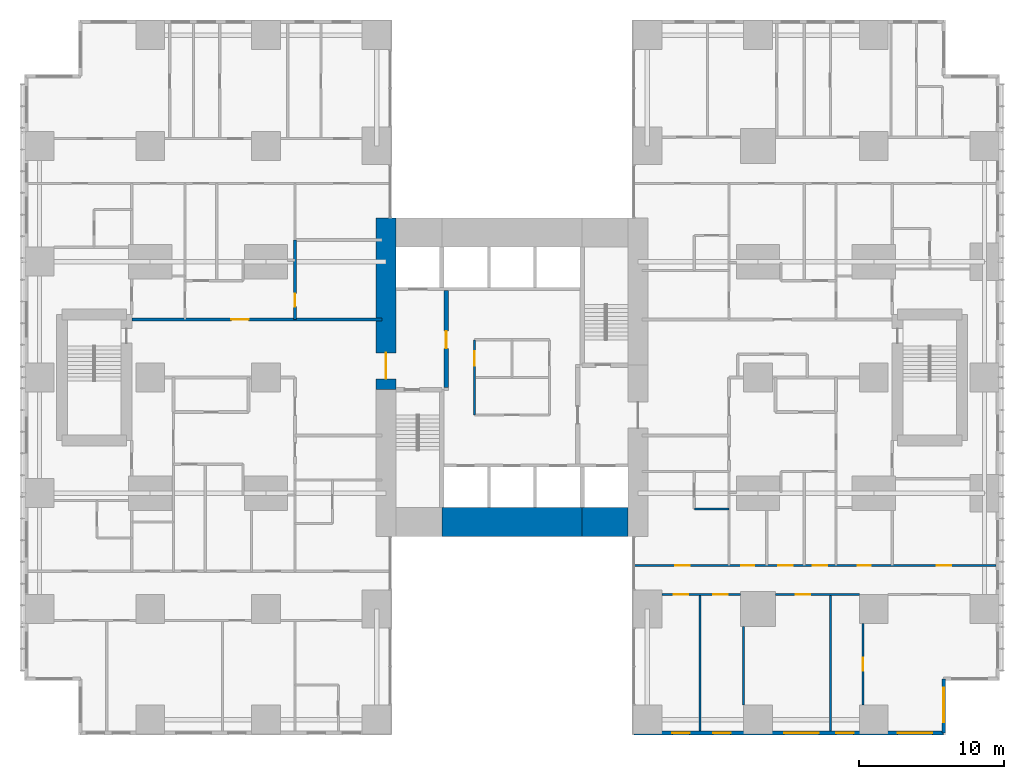
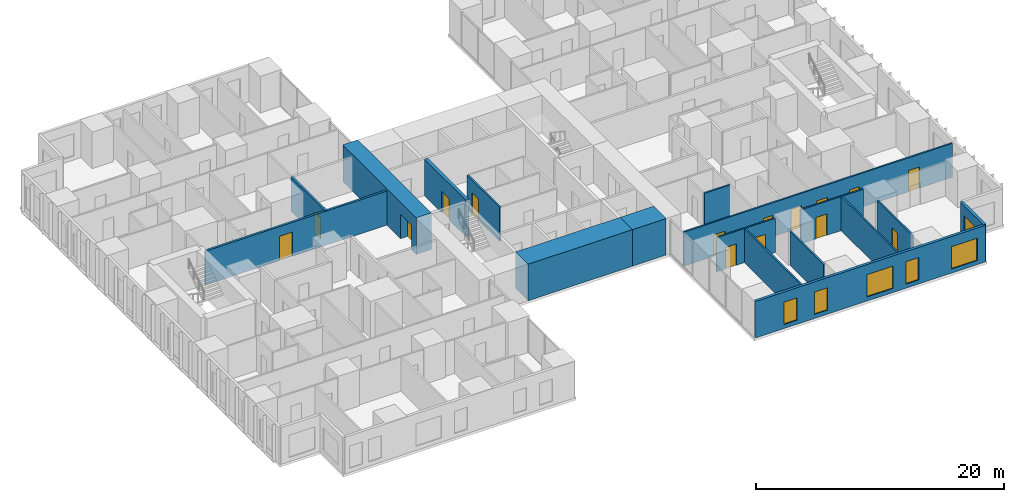
# One storey, part 14 of 20: 17 walls, 15 doors, 6 windows, 21 openings.
"""IFC4 building model written with IfcOpenShell, lengths in metres."""

from ifc_helpers import new_model, si_unit, direction, frame, frame_2d, origin, place, context, subcontext, project, spatial, rectangle, extrude, material, layer, layer_set, type_object, element, fill, save


model = new_model("IFC4")

# Units and contexts
model_context = context("Model", 3, precision=1e-05, world=origin(), true_north=direction((0.0, 1.0)))
body_context = subcontext(model_context, "Body", "Model", "MODEL_VIEW")
ifc_project = project(units=[si_unit("LENGTHUNIT", "METRE"), si_unit("AREAUNIT", "SQUARE_METRE"), si_unit("VOLUMEUNIT", "CUBIC_METRE"), si_unit("PLANEANGLEUNIT", "RADIAN"), si_unit("MASSUNIT", "GRAM", prefix="KILO")], contexts=[model_context])

# Site, building, storey
site_placement = place(None, origin())
site = spatial("IfcSite", under=ifc_project, at=site_placement, CompositionType="ELEMENT")
building_placement = place(site_placement, origin())
building = spatial("IfcBuilding", under=site, at=building_placement, Name="Cleftline Residences", CompositionType="ELEMENT")
storey_placement = place(building_placement, frame((0.0, 0.0, 164.60009765625)))
storey = spatial("IfcBuildingStorey", under=building, at=storey_placement, Name="L43", CompositionType="ELEMENT", Elevation=164.60009765625)

# Wall, opening, door
ifc_material_1 = material(Name="Concrete B70", Category="concrete")
ifc_layer_1 = layer(ifc_material_1, 1.39990234375)
ifc_layer_set_1 = layer_set([ifc_layer_1], Name="CORE WALL 1400")
wall_type_1 = type_object("IfcWallType", Name="CORE WALL 1400", PredefinedType="SHEAR", material=ifc_layer_set_1)
wall_1_placement = place(storey_placement, frame((24.300048828125, 23.14990234375, 0.0), z_axis=(0.0, 0.0, 1.0), x_axis=(0.0, 1.0, 0.0)))
wall_1 = element("IfcWall", 1, at=wall_1_placement, inside=storey, type_object=wall_type_1, Name="Core wall W", PredefinedType="SHEAR", context=body_context, shape_type="SweptSolid", body=[
    extrude(rectangle(XDim=11.85009765625, YDim=1.39990234375, at=frame_2d((5.925048828125, 0.0))), origin(), (0.0, 0.0, 1.0), 3.599853515625),
])
opening_1_placement = place(wall_1_placement, frame((0.75, 0.0, 0.0)))
opening_1 = element("IfcOpeningElement", 2, at=opening_1_placement, cuts=wall_1, Name="Opening D7", PredefinedType="OPENING", context=body_context, shape_type="SweptSolid", body=[
    extrude(rectangle(XDim=1.800048828125, YDim=2.39990234375, at=frame_2d((0.89990234375, 1.199951171875))), frame((0.0, 0.7099609375, 0.0), z_axis=(0.0, -1.0, 0.0), x_axis=(1.0, 0.0, 0.0)), (0.0, 0.0, 1.0), 1.419921875),
])
ifc_material_2 = material(Name="Steel", Category="steel")
door_type_1 = type_object("IfcDoorType", Name="WING DOOR 1800X2400", OperationType="DOUBLE_DOOR_DOUBLE_SWING", PredefinedType="DOOR", material=ifc_material_2)
door_1_placement = place(opening_1_placement, origin())
door_1 = element("IfcDoor", 3, at=door_1_placement, inside=storey, type_object=door_type_1, Name="West wing door", OperationType="DOUBLE_DOOR_DOUBLE_SWING", OverallHeight=2.39990234375, OverallWidth=1.800048828125, PredefinedType="DOOR", context=body_context, shape_type="SweptSolid", body=[
    extrude(rectangle(XDim=1.800048828125, YDim=2.39990234375, at=frame_2d((0.89990234375, 1.199951171875))), frame((0.0, 0.02490234375, 0.0), z_axis=(0.0, -1.0, 0.0), x_axis=(1.0, 0.0, 0.0)), (0.0, 0.0, 1.0), 0.050048828125),
])
fill(opening_1, door_1)

# Walls
ifc_material_3 = material(Name="Concrete B70", Category="concrete")
ifc_layer_2 = layer(ifc_material_3, 2.0)
ifc_layer_set_2 = layer_set([ifc_layer_2], Name="CORE WALL 2000")
wall_type_2 = type_object("IfcWallType", Name="CORE WALL 2000", PredefinedType="SHEAR", material=ifc_layer_set_2)
wall_2_placement = place(storey_placement, frame((28.14990234375, 14.0, 0.0), z_axis=(0.0, 0.0, 1.0), x_axis=(1.0, 0.0, 0.0)))
element("IfcWall", 4, at=wall_2_placement, inside=storey, type_object=wall_type_2, Name="Core wall S2", PredefinedType="SHEAR", context=body_context, shape_type="SweptSolid", body=[
    extrude(rectangle(XDim=9.7001953125, YDim=2.0, at=frame_2d((4.85009765625, 0.0))), origin(), (0.0, 0.0, 1.0), 3.599853515625),
])
wall_3_placement = place(storey_placement, frame((37.85009765625, 14.0, 0.0), z_axis=(0.0, 0.0, 1.0), x_axis=(1.0, 0.0, 0.0)))
element("IfcWall", 5, at=wall_3_placement, inside=storey, type_object=wall_type_2, Name="Core wall S3", PredefinedType="SHEAR", context=body_context, shape_type="SweptSolid", body=[
    extrude(rectangle(XDim=3.14990234375, YDim=2.0, at=frame_2d((1.574951171875, 0.0))), origin(), (0.0, 0.0, 1.0), 3.599853515625),
])

# Wall, openings, windows
ifc_material_4 = material(Name="Rendered reinforced concrete blockwork", Category="masonry")
ifc_layer_3 = layer(ifc_material_4, 0.25)
ifc_layer_set_3 = layer_set([ifc_layer_3], Name="EXTERNAL WALL 250")
wall_type_3 = type_object("IfcWallType", Name="EXTERNAL WALL 250", PredefinedType="SOLIDWALL", material=ifc_layer_set_3)
wall_4_placement = place(storey_placement, frame((41.425048828125, -0.574951171875, 0.0), z_axis=(0.0, 0.0, 1.0), x_axis=(1.0, 0.0, 0.0)))
wall_4 = element("IfcWall", 6, at=wall_4_placement, inside=storey, type_object=wall_type_3, Name="External wall", PredefinedType="SOLIDWALL", context=body_context, shape_type="SweptSolid", body=[
    extrude(rectangle(XDim=21.39990234375, YDim=0.25, at=frame_2d((10.699951171875, 0.0))), origin(), (0.0, 0.0, 1.0), 3.599853515625),
])
opening_2_placement = place(wall_4_placement, frame((2.64990234375, 0.0, 0.39990234375)))
opening_2 = element("IfcOpeningElement", 7, at=opening_2_placement, cuts=wall_4, Name="Opening W11", PredefinedType="OPENING", context=body_context, shape_type="SweptSolid", body=[
    extrude(rectangle(XDim=1.199951171875, YDim=2.199951171875, at=frame_2d((0.60009765625, 1.10009765625))), frame((0.0, 0.135009765625, 0.0), z_axis=(0.0, -1.0, 0.0), x_axis=(1.0, 0.0, 0.0)), (0.0, 0.0, 1.0), 0.27001953125),
])
opening_3_placement = place(wall_4_placement, frame((5.47509765625, 0.0, 0.39990234375)))
opening_3 = element("IfcOpeningElement", 8, at=opening_3_placement, cuts=wall_4, Name="Opening W11", PredefinedType="OPENING", context=body_context, shape_type="SweptSolid", body=[
    extrude(rectangle(XDim=1.199951171875, YDim=2.199951171875, at=frame_2d((0.60009765625, 1.10009765625))), frame((0.0, 0.135009765625, 0.0), z_axis=(0.0, -1.0, 0.0), x_axis=(1.0, 0.0, 0.0)), (0.0, 0.0, 1.0), 0.27001953125),
])
opening_4_placement = place(wall_4_placement, frame((10.375, 0.0, 0.39990234375)))
opening_4 = element("IfcOpeningElement", 9, at=opening_4_placement, cuts=wall_4, Name="Opening W12", PredefinedType="OPENING", context=body_context, shape_type="SweptSolid", body=[
    extrude(rectangle(XDim=2.39990234375, YDim=2.199951171875, at=frame_2d((1.199951171875, 1.10009765625))), frame((0.0, 0.135009765625, 0.0), z_axis=(0.0, -1.0, 0.0), x_axis=(1.0, 0.0, 0.0)), (0.0, 0.0, 1.0), 0.27001953125),
])
opening_5_placement = place(wall_4_placement, frame((13.97509765625, 0.0, 0.39990234375)))
opening_5 = element("IfcOpeningElement", 10, at=opening_5_placement, cuts=wall_4, Name="Opening W11", PredefinedType="OPENING", context=body_context, shape_type="SweptSolid", body=[
    extrude(rectangle(XDim=1.199951171875, YDim=2.199951171875, at=frame_2d((0.60009765625, 1.10009765625))), frame((0.0, 0.135009765625, 0.0), z_axis=(0.0, -1.0, 0.0), x_axis=(1.0, 0.0, 0.0)), (0.0, 0.0, 1.0), 0.27001953125),
])
opening_6_placement = place(wall_4_placement, frame((18.22509765625, 0.0, 0.39990234375)))
opening_6 = element("IfcOpeningElement", 11, at=opening_6_placement, cuts=wall_4, Name="Opening W12", PredefinedType="OPENING", context=body_context, shape_type="SweptSolid", body=[
    extrude(rectangle(XDim=2.39990234375, YDim=2.199951171875, at=frame_2d((1.199951171875, 1.10009765625))), frame((0.0, 0.135009765625, 0.0), z_axis=(0.0, -1.0, 0.0), x_axis=(1.0, 0.0, 0.0)), (0.0, 0.0, 1.0), 0.27001953125),
])
ifc_material_5 = material(Name="Aluminium frame, clear double glazing", Category="aluminium")
window_type_1 = type_object("IfcWindowType", Name="WINDOW 1200X2200", PartitioningType="DOUBLE_PANEL_VERTICAL", PredefinedType="WINDOW", material=ifc_material_5)
window_1_placement = place(opening_2_placement, origin())
window_1 = element("IfcWindow", 12, at=window_1_placement, inside=storey, type_object=window_type_1, Name="Window", OverallHeight=2.199951171875, OverallWidth=1.199951171875, PartitioningType="SINGLE_PANEL", PredefinedType="WINDOW", context=body_context, shape_type="SweptSolid", body=[
    extrude(rectangle(XDim=1.199951171875, YDim=2.199951171875, at=frame_2d((0.60009765625, 1.10009765625))), frame((0.0, 0.030029296875, 0.0), z_axis=(0.0, -1.0, 0.0), x_axis=(1.0, 0.0, 0.0)), (0.0, 0.0, 1.0), 0.06005859375),
])
fill(opening_2, window_1)
window_2_placement = place(opening_3_placement, origin())
window_2 = element("IfcWindow", 13, at=window_2_placement, inside=storey, type_object=window_type_1, Name="Window", OverallHeight=2.199951171875, OverallWidth=1.199951171875, PartitioningType="SINGLE_PANEL", PredefinedType="WINDOW", context=body_context, shape_type="SweptSolid", body=[
    extrude(rectangle(XDim=1.199951171875, YDim=2.199951171875, at=frame_2d((0.60009765625, 1.10009765625))), frame((0.0, 0.030029296875, 0.0), z_axis=(0.0, -1.0, 0.0), x_axis=(1.0, 0.0, 0.0)), (0.0, 0.0, 1.0), 0.06005859375),
])
fill(opening_3, window_2)
window_3_placement = place(opening_5_placement, origin())
window_3 = element("IfcWindow", 14, at=window_3_placement, inside=storey, type_object=window_type_1, Name="Window", OverallHeight=2.199951171875, OverallWidth=1.199951171875, PartitioningType="SINGLE_PANEL", PredefinedType="WINDOW", context=body_context, shape_type="SweptSolid", body=[
    extrude(rectangle(XDim=1.199951171875, YDim=2.199951171875, at=frame_2d((0.60009765625, 1.10009765625))), frame((0.0, 0.030029296875, 0.0), z_axis=(0.0, -1.0, 0.0), x_axis=(1.0, 0.0, 0.0)), (0.0, 0.0, 1.0), 0.06005859375),
])
fill(opening_5, window_3)
ifc_material_6 = material(Name="Aluminium frame, clear double glazing", Category="aluminium")
window_type_2 = type_object("IfcWindowType", Name="WINDOW 2400X2200", PartitioningType="DOUBLE_PANEL_VERTICAL", PredefinedType="WINDOW", material=ifc_material_6)
window_4_placement = place(opening_4_placement, origin())
window_4 = element("IfcWindow", 15, at=window_4_placement, inside=storey, type_object=window_type_2, Name="Window", OverallHeight=2.199951171875, OverallWidth=2.39990234375, PartitioningType="SINGLE_PANEL", PredefinedType="WINDOW", context=body_context, shape_type="SweptSolid", body=[
    extrude(rectangle(XDim=2.39990234375, YDim=2.199951171875, at=frame_2d((1.199951171875, 1.10009765625))), frame((0.0, 0.030029296875, 0.0), z_axis=(0.0, -1.0, 0.0), x_axis=(1.0, 0.0, 0.0)), (0.0, 0.0, 1.0), 0.06005859375),
])
fill(opening_4, window_4)
window_5_placement = place(opening_6_placement, origin())
window_5 = element("IfcWindow", 16, at=window_5_placement, inside=storey, type_object=window_type_2, Name="Window", OverallHeight=2.199951171875, OverallWidth=2.39990234375, PartitioningType="SINGLE_PANEL", PredefinedType="WINDOW", context=body_context, shape_type="SweptSolid", body=[
    extrude(rectangle(XDim=2.39990234375, YDim=2.199951171875, at=frame_2d((1.199951171875, 1.10009765625))), frame((0.0, 0.030029296875, 0.0), z_axis=(0.0, -1.0, 0.0), x_axis=(1.0, 0.0, 0.0)), (0.0, 0.0, 1.0), 0.06005859375),
])
fill(opening_6, window_5)

# Wall, opening, window
wall_5_placement = place(storey_placement, frame((62.824951171875, -0.574951171875, 0.0), z_axis=(0.0, 0.0, 1.0), x_axis=(0.0, 1.0, 0.0)))
wall_5 = element("IfcWall", 17, at=wall_5_placement, inside=storey, type_object=wall_type_3, Name="External wall", PredefinedType="SOLIDWALL", context=body_context, shape_type="SweptSolid", body=[
    extrude(rectangle(XDim=3.75, YDim=0.25, at=frame_2d((1.875, 0.0))), origin(), (0.0, 0.0, 1.0), 3.599853515625),
])
opening_7_placement = place(wall_5_placement, frame((0.737548828125, 0.0, 0.39990234375)))
opening_7 = element("IfcOpeningElement", 18, at=opening_7_placement, cuts=wall_5, Name="Opening W12", PredefinedType="OPENING", context=body_context, shape_type="SweptSolid", body=[
    extrude(rectangle(XDim=2.39990234375, YDim=2.199951171875, at=frame_2d((1.199951171875, 1.10009765625))), frame((0.0, 0.135009765625, 0.0), z_axis=(0.0, -1.0, 0.0), x_axis=(1.0, 0.0, 0.0)), (0.0, 0.0, 1.0), 0.27001953125),
])
window_6_placement = place(opening_7_placement, origin())
window_6 = element("IfcWindow", 19, at=window_6_placement, inside=storey, type_object=window_type_2, Name="Window", OverallHeight=2.199951171875, OverallWidth=2.39990234375, PartitioningType="SINGLE_PANEL", PredefinedType="WINDOW", context=body_context, shape_type="SweptSolid", body=[
    extrude(rectangle(XDim=2.39990234375, YDim=2.199951171875, at=frame_2d((1.199951171875, 1.10009765625))), frame((0.0, 0.030029296875, 0.0), z_axis=(0.0, -1.0, 0.0), x_axis=(1.0, 0.0, 0.0)), (0.0, 0.0, 1.0), 0.06005859375),
])
fill(opening_7, window_6)

# Wall, opening, door
ifc_material_7 = material(Name="Concrete blockwork, fire rated", Category="masonry")
ifc_layer_4 = layer(ifc_material_7, 0.199951171875)
ifc_layer_set_4 = layer_set([ifc_layer_4], Name="FIRE WALL 200")
wall_type_4 = type_object("IfcWallType", Name="FIRE WALL 200", PredefinedType="PARTITIONING", material=ifc_layer_set_4)
wall_6_placement = place(storey_placement, frame((6.72509765625, 28.0, 0.0), z_axis=(0.0, 0.0, 1.0), x_axis=(1.0, 0.0, 0.0)))
wall_6 = element("IfcWall", 20, at=wall_6_placement, inside=storey, type_object=wall_type_4, Name="Fire separating wall", PredefinedType="PARTITIONING", context=body_context, shape_type="SweptSolid", body=[
    extrude(rectangle(XDim=17.27490234375, YDim=0.199951171875, at=frame_2d((8.637451171875, 0.0))), origin(), (0.0, 0.0, 1.0), 3.349853515625),
])
opening_8_placement = place(wall_6_placement, frame((6.875, 0.0, 0.0)))
opening_8 = element("IfcOpeningElement", 21, at=opening_8_placement, cuts=wall_6, Name="Opening D4", PredefinedType="OPENING", context=body_context, shape_type="SweptSolid", body=[
    extrude(rectangle(XDim=1.199951171875, YDim=2.39990234375, at=frame_2d((0.60009765625, 1.199951171875))), frame((0.0, 0.10986328125, 0.0), z_axis=(0.0, -1.0, 0.0), x_axis=(1.0, 0.0, 0.0)), (0.0, 0.0, 1.0), 0.219970703125),
])
ifc_material_8 = material(Name="Timber veneer on solid core", Category="wood")
door_type_2 = type_object("IfcDoorType", Name="APARTMENT ENTRANCE DOOR 1200X2400", OperationType="SINGLE_SWING_RIGHT", PredefinedType="DOOR", material=ifc_material_8)
door_2_placement = place(opening_8_placement, origin())
door_2 = element("IfcDoor", 22, at=door_2_placement, inside=storey, type_object=door_type_2, Name="Door to residence entrance foyer", OperationType="SINGLE_SWING_RIGHT", OverallHeight=2.39990234375, OverallWidth=1.199951171875, PredefinedType="DOOR", context=body_context, shape_type="SweptSolid", body=[
    extrude(rectangle(XDim=1.199951171875, YDim=2.39990234375, at=frame_2d((0.60009765625, 1.199951171875))), frame((0.0, 0.02490234375, 0.0), z_axis=(0.0, -1.0, 0.0), x_axis=(1.0, 0.0, 0.0)), (0.0, 0.0, 1.0), 0.050048828125),
])
fill(opening_8, door_2)

wall_7_placement = place(storey_placement, frame((18.0, 28.0, 0.0), z_axis=(0.0, 0.0, 1.0), x_axis=(0.0, 1.0, 0.0)))
wall_7 = element("IfcWall", 23, at=wall_7_placement, inside=storey, type_object=wall_type_4, Name="Fire separating wall", PredefinedType="PARTITIONING", context=body_context, shape_type="SweptSolid", body=[
    extrude(rectangle(XDim=5.5, YDim=0.199951171875, at=frame_2d((2.75, 0.0))), origin(), (0.0, 0.0, 1.0), 3.349853515625),
])
opening_9_placement = place(wall_7_placement, frame((0.887451171875, 0.0, 0.0)))
opening_9 = element("IfcOpeningElement", 24, at=opening_9_placement, cuts=wall_7, Name="Opening D1F30", PredefinedType="OPENING", context=body_context, shape_type="SweptSolid", body=[
    extrude(rectangle(XDim=0.89990234375, YDim=2.10009765625, at=frame_2d((0.449951171875, 1.050048828125))), frame((0.0, 0.10986328125, 0.0), z_axis=(0.0, -1.0, 0.0), x_axis=(1.0, 0.0, 0.0)), (0.0, 0.0, 1.0), 0.219970703125),
])
ifc_material_9 = material(Name="Timber veneer on solid core", Category="wood")
door_type_3 = type_object("IfcDoorType", Name="DOOR 900X2100 EI 30", OperationType="SINGLE_SWING_LEFT", PredefinedType="DOOR", material=ifc_material_9)
door_3_placement = place(opening_9_placement, origin())
door_3 = element("IfcDoor", 25, at=door_3_placement, inside=storey, type_object=door_type_3, Name="Door to utility room and wc", OperationType="SINGLE_SWING_RIGHT", OverallHeight=2.10009765625, OverallWidth=0.89990234375, PredefinedType="DOOR", context=body_context, shape_type="SweptSolid", body=[
    extrude(rectangle(XDim=0.89990234375, YDim=2.10009765625, at=frame_2d((0.449951171875, 1.050048828125))), frame((0.0, 0.02490234375, 0.0), z_axis=(0.0, -1.0, 0.0), x_axis=(1.0, 0.0, 0.0)), (0.0, 0.0, 1.0), 0.050048828125),
])
fill(opening_9, door_3)

# Wall, openings, doors
ifc_material_10 = material(Name="Gypsum board on steel studs", Category="steel")
ifc_layer_5 = layer(ifc_material_10, 0.14990234375)
ifc_layer_set_5 = layer_set([ifc_layer_5], Name="PARTITION 150")
wall_type_5 = type_object("IfcWallType", Name="PARTITION 150", PredefinedType="PARTITIONING", material=ifc_layer_set_5)
wall_8_placement = place(storey_placement, frame((43.35009765625, 9.0, 0.0), z_axis=(0.0, 0.0, 1.0), x_axis=(1.0, 0.0, 0.0)))
wall_8 = element("IfcWall", 26, at=wall_8_placement, inside=storey, type_object=wall_type_5, Name="Partition", PredefinedType="PARTITIONING", context=body_context, shape_type="SweptSolid", body=[
    extrude(rectangle(XDim=5.449951171875, YDim=0.14990234375, at=frame_2d((2.72509765625, 0.0))), origin(), (0.0, 0.0, 1.0), 3.349853515625),
])
opening_10_placement = place(wall_8_placement, frame((3.550048828125, 0.0, 0.0)))
opening_10 = element("IfcOpeningElement", 27, at=opening_10_placement, cuts=wall_8, Name="Opening D2", PredefinedType="OPENING", context=body_context, shape_type="SweptSolid", body=[
    extrude(rectangle(XDim=1.0, YDim=2.10009765625, at=frame_2d((0.5, 1.050048828125))), frame((0.0, 0.0849609375, 0.0), z_axis=(0.0, -1.0, 0.0), x_axis=(1.0, 0.0, 0.0)), (0.0, 0.0, 1.0), 0.169921875),
])
opening_11_placement = place(wall_8_placement, frame((0.824951171875, 0.0, 0.0)))
opening_11 = element("IfcOpeningElement", 28, at=opening_11_placement, cuts=wall_8, Name="Opening D2", PredefinedType="OPENING", context=body_context, shape_type="SweptSolid", body=[
    extrude(rectangle(XDim=1.0, YDim=2.10009765625, at=frame_2d((0.5, 1.050048828125))), frame((0.0, 0.0849609375, 0.0), z_axis=(0.0, -1.0, 0.0), x_axis=(1.0, 0.0, 0.0)), (0.0, 0.0, 1.0), 0.169921875),
])
ifc_material_11 = material(Name="Timber veneer on solid core", Category="wood")
door_type_4 = type_object("IfcDoorType", Name="DOOR 1000X2100", OperationType="SINGLE_SWING_LEFT", PredefinedType="DOOR", material=ifc_material_11)
door_4_placement = place(opening_10_placement, origin())
door_4 = element("IfcDoor", 29, at=door_4_placement, inside=storey, type_object=door_type_4, Name="Door to breakfast room", OperationType="SINGLE_SWING_LEFT", OverallHeight=2.10009765625, OverallWidth=1.0, PredefinedType="DOOR", context=body_context, shape_type="SweptSolid", body=[
    extrude(rectangle(XDim=1.0, YDim=2.10009765625, at=frame_2d((0.5, 1.050048828125))), frame((0.0, 0.02490234375, 0.0), z_axis=(0.0, -1.0, 0.0), x_axis=(1.0, 0.0, 0.0)), (0.0, 0.0, 1.0), 0.050048828125),
])
fill(opening_10, door_4)
door_5_placement = place(opening_11_placement, origin())
door_5 = element("IfcDoor", 30, at=door_5_placement, inside=storey, type_object=door_type_4, Name="Door to show kitchen", OperationType="SINGLE_SWING_RIGHT", OverallHeight=2.10009765625, OverallWidth=1.0, PredefinedType="DOOR", context=body_context, shape_type="SweptSolid", body=[
    extrude(rectangle(XDim=1.0, YDim=2.10009765625, at=frame_2d((0.5, 1.050048828125))), frame((0.0, 0.02490234375, 0.0), z_axis=(0.0, -1.0, 0.0), x_axis=(1.0, 0.0, 0.0)), (0.0, 0.0, 1.0), 0.050048828125),
])
fill(opening_11, door_5)

# Wall, opening, door
wall_9_placement = place(storey_placement, frame((51.199951171875, 9.0, 0.0), z_axis=(0.0, 0.0, 1.0), x_axis=(1.0, 0.0, 0.0)))
wall_9 = element("IfcWall", 31, at=wall_9_placement, inside=storey, type_object=wall_type_5, Name="Partition", PredefinedType="PARTITIONING", context=body_context, shape_type="SweptSolid", body=[
    extrude(rectangle(XDim=5.800048828125, YDim=0.14990234375, at=frame_2d((2.89990234375, 0.0))), origin(), (0.0, 0.0, 1.0), 3.349853515625),
])
opening_12_placement = place(wall_9_placement, frame((1.39990234375, 0.0, 0.0)))
opening_12 = element("IfcOpeningElement", 32, at=opening_12_placement, cuts=wall_9, Name="Opening D2", PredefinedType="OPENING", context=body_context, shape_type="SweptSolid", body=[
    extrude(rectangle(XDim=1.0, YDim=2.10009765625, at=frame_2d((0.5, 1.050048828125))), frame((0.0, 0.0849609375, 0.0), z_axis=(0.0, -1.0, 0.0), x_axis=(1.0, 0.0, 0.0)), (0.0, 0.0, 1.0), 0.169921875),
])
door_6_placement = place(opening_12_placement, origin())
door_6 = element("IfcDoor", 33, at=door_6_placement, inside=storey, type_object=door_type_4, Name="Door to dining room", OperationType="SINGLE_SWING_RIGHT", OverallHeight=2.10009765625, OverallWidth=1.0, PredefinedType="DOOR", context=body_context, shape_type="SweptSolid", body=[
    extrude(rectangle(XDim=1.0, YDim=2.10009765625, at=frame_2d((0.5, 1.050048828125))), frame((0.0, 0.02490234375, 0.0), z_axis=(0.0, -1.0, 0.0), x_axis=(1.0, 0.0, 0.0)), (0.0, 0.0, 1.0), 0.050048828125),
])
fill(opening_12, door_6)

# Wall, openings, doors
wall_10_placement = place(storey_placement, frame((41.43896484375, 11.0, 0.0), z_axis=(0.0, 0.0, 1.0), x_axis=(1.0, 0.0, 0.0)))
wall_10 = element("IfcWall", 34, at=wall_10_placement, inside=storey, type_object=wall_type_5, Name="Partition", PredefinedType="PARTITIONING", context=body_context, shape_type="SweptSolid", body=[
    extrude(rectangle(XDim=25.010986328125, YDim=0.14990234375, at=frame_2d((12.50537109375, 0.0))), origin(), (0.0, 0.0, 1.0), 3.349853515625),
])
opening_13_placement = place(wall_10_placement, frame((12.361083984375, 0.0, 0.0)))
opening_13 = element("IfcOpeningElement", 35, at=opening_13_placement, cuts=wall_10, Name="Opening D2F30", PredefinedType="OPENING", context=body_context, shape_type="SweptSolid", body=[
    extrude(rectangle(XDim=1.0, YDim=2.10009765625, at=frame_2d((0.5, 1.050048828125))), frame((0.0, 0.0849609375, 0.0), z_axis=(0.0, -1.0, 0.0), x_axis=(1.0, 0.0, 0.0)), (0.0, 0.0, 1.0), 0.169921875),
])
opening_14_placement = place(wall_10_placement, frame((20.923583984375, 0.0, 0.0)))
opening_14 = element("IfcOpeningElement", 36, at=opening_14_placement, cuts=wall_10, Name="Opening D2F30", PredefinedType="OPENING", context=body_context, shape_type="SweptSolid", body=[
    extrude(rectangle(XDim=1.0, YDim=2.10009765625, at=frame_2d((0.5, 1.050048828125))), frame((0.0, 0.0849609375, 0.0), z_axis=(0.0, -1.0, 0.0), x_axis=(1.0, 0.0, 0.0)), (0.0, 0.0, 1.0), 0.169921875),
])
opening_15_placement = place(wall_10_placement, frame((15.448486328125, 0.0, 0.0)))
opening_15 = element("IfcOpeningElement", 37, at=opening_15_placement, cuts=wall_10, Name="Opening D1F30", PredefinedType="OPENING", context=body_context, shape_type="SweptSolid", body=[
    extrude(rectangle(XDim=0.89990234375, YDim=2.10009765625, at=frame_2d((0.449951171875, 1.050048828125))), frame((0.0, 0.0849609375, 0.0), z_axis=(0.0, -1.0, 0.0), x_axis=(1.0, 0.0, 0.0)), (0.0, 0.0, 1.0), 0.169921875),
])
opening_16_placement = place(wall_10_placement, frame((9.9609375, 0.0, 0.0)))
opening_16 = element("IfcOpeningElement", 38, at=opening_16_placement, cuts=wall_10, Name="Opening D2F30", PredefinedType="OPENING", context=body_context, shape_type="SweptSolid", body=[
    extrude(rectangle(XDim=1.0, YDim=2.10009765625, at=frame_2d((0.5, 1.050048828125))), frame((0.0, 0.0849609375, 0.0), z_axis=(0.0, -1.0, 0.0), x_axis=(1.0, 0.0, 0.0)), (0.0, 0.0, 1.0), 0.169921875),
])
opening_17_placement = place(wall_10_placement, frame((7.410888671875, 0.0, 0.0)))
opening_17 = element("IfcOpeningElement", 39, at=opening_17_placement, cuts=wall_10, Name="Opening D1F30", PredefinedType="OPENING", context=body_context, shape_type="SweptSolid", body=[
    extrude(rectangle(XDim=0.89990234375, YDim=2.10009765625, at=frame_2d((0.449951171875, 1.050048828125))), frame((0.0, 0.0849609375, 0.0), z_axis=(0.0, -1.0, 0.0), x_axis=(1.0, 0.0, 0.0)), (0.0, 0.0, 1.0), 0.169921875),
])
opening_18_placement = place(wall_10_placement, frame((2.8359375, 0.0, 0.0)))
opening_18 = element("IfcOpeningElement", 40, at=opening_18_placement, cuts=wall_10, Name="Opening D2F30", PredefinedType="OPENING", context=body_context, shape_type="SweptSolid", body=[
    extrude(rectangle(XDim=1.0, YDim=2.10009765625, at=frame_2d((0.5, 1.050048828125))), frame((0.0, 0.0849609375, 0.0), z_axis=(0.0, -1.0, 0.0), x_axis=(1.0, 0.0, 0.0)), (0.0, 0.0, 1.0), 0.169921875),
])
ifc_material_12 = material(Name="Timber veneer on solid core", Category="wood")
door_type_5 = type_object("IfcDoorType", Name="DOOR 1000X2100 EI 30", OperationType="SINGLE_SWING_LEFT", PredefinedType="DOOR", material=ifc_material_12)
door_7_placement = place(opening_13_placement, origin())
door_7 = element("IfcDoor", 41, at=door_7_placement, inside=storey, type_object=door_type_5, Name="Door to residence hall (gallery)", OperationType="SINGLE_SWING_LEFT", OverallHeight=2.10009765625, OverallWidth=1.0, PredefinedType="DOOR", context=body_context, shape_type="SweptSolid", body=[
    extrude(rectangle(XDim=1.0, YDim=2.10009765625, at=frame_2d((0.5, 1.050048828125))), frame((0.0, 0.02490234375, 0.0), z_axis=(0.0, -1.0, 0.0), x_axis=(1.0, 0.0, 0.0)), (0.0, 0.0, 1.0), 0.050048828125),
])
fill(opening_13, door_7)
door_8_placement = place(opening_14_placement, origin())
door_8 = element("IfcDoor", 42, at=door_8_placement, inside=storey, type_object=door_type_5, Name="Door to altar room", OperationType="SINGLE_SWING_LEFT", OverallHeight=2.10009765625, OverallWidth=1.0, PredefinedType="DOOR", context=body_context, shape_type="SweptSolid", body=[
    extrude(rectangle(XDim=1.0, YDim=2.10009765625, at=frame_2d((0.5, 1.050048828125))), frame((0.0, 0.02490234375, 0.0), z_axis=(0.0, -1.0, 0.0), x_axis=(1.0, 0.0, 0.0)), (0.0, 0.0, 1.0), 0.050048828125),
])
fill(opening_14, door_8)
door_9_placement = place(opening_16_placement, origin())
door_9 = element("IfcDoor", 43, at=door_9_placement, inside=storey, type_object=door_type_5, Name="Door to wet kitchen", OperationType="SINGLE_SWING_RIGHT", OverallHeight=2.10009765625, OverallWidth=1.0, PredefinedType="DOOR", context=body_context, shape_type="SweptSolid", body=[
    extrude(rectangle(XDim=1.0, YDim=2.10009765625, at=frame_2d((0.5, 1.050048828125))), frame((0.0, 0.02490234375, 0.0), z_axis=(0.0, -1.0, 0.0), x_axis=(1.0, 0.0, 0.0)), (0.0, 0.0, 1.0), 0.050048828125),
])
fill(opening_16, door_9)
door_10_placement = place(opening_18_placement, origin())
door_10 = element("IfcDoor", 44, at=door_10_placement, inside=storey, type_object=door_type_5, Name="Door to staff bedroom", OperationType="SINGLE_SWING_RIGHT", OverallHeight=2.10009765625, OverallWidth=1.0, PredefinedType="DOOR", context=body_context, shape_type="SweptSolid", body=[
    extrude(rectangle(XDim=1.0, YDim=2.10009765625, at=frame_2d((0.5, 1.050048828125))), frame((0.0, 0.02490234375, 0.0), z_axis=(0.0, -1.0, 0.0), x_axis=(1.0, 0.0, 0.0)), (0.0, 0.0, 1.0), 0.050048828125),
])
fill(opening_18, door_10)
door_11_placement = place(opening_15_placement, origin())
door_11 = element("IfcDoor", 45, at=door_11_placement, inside=storey, type_object=door_type_3, Name="Door to store room", OperationType="SINGLE_SWING_LEFT", OverallHeight=2.10009765625, OverallWidth=0.89990234375, PredefinedType="DOOR", context=body_context, shape_type="SweptSolid", body=[
    extrude(rectangle(XDim=0.89990234375, YDim=2.10009765625, at=frame_2d((0.449951171875, 1.050048828125))), frame((0.0, 0.02490234375, 0.0), z_axis=(0.0, -1.0, 0.0), x_axis=(1.0, 0.0, 0.0)), (0.0, 0.0, 1.0), 0.050048828125),
])
fill(opening_15, door_11)
door_12_placement = place(opening_17_placement, origin())
door_12 = element("IfcDoor", 46, at=door_12_placement, inside=storey, type_object=door_type_3, Name="Door to pantry", OperationType="SINGLE_SWING_RIGHT", OverallHeight=2.10009765625, OverallWidth=0.89990234375, PredefinedType="DOOR", context=body_context, shape_type="SweptSolid", body=[
    extrude(rectangle(XDim=0.89990234375, YDim=2.10009765625, at=frame_2d((0.449951171875, 1.050048828125))), frame((0.0, 0.02490234375, 0.0), z_axis=(0.0, -1.0, 0.0), x_axis=(1.0, 0.0, 0.0)), (0.0, 0.0, 1.0), 0.050048828125),
])
fill(opening_17, door_12)

# Walls
wall_11_placement = place(storey_placement, frame((45.60009765625, 14.89990234375, 0.0), z_axis=(0.0, 0.0, 1.0), x_axis=(1.0, 0.0, 0.0)))
element("IfcWall", 47, at=wall_11_placement, inside=storey, type_object=wall_type_5, Name="Partition", PredefinedType="PARTITIONING", context=body_context, shape_type="SweptSolid", body=[
    extrude(rectangle(XDim=2.39990234375, YDim=0.14990234375, at=frame_2d((1.199951171875, 0.0))), origin(), (0.0, 0.0, 1.0), 3.349853515625),
])
wall_12_placement = place(storey_placement, frame((46.0, -0.449951171875, 0.0), z_axis=(0.0, 0.0, 1.0), x_axis=(0.0, 1.0, 0.0)))
element("IfcWall", 48, at=wall_12_placement, inside=storey, type_object=wall_type_5, Name="Partition", PredefinedType="PARTITIONING", context=body_context, shape_type="SweptSolid", body=[
    extrude(rectangle(XDim=9.449951171875, YDim=0.14990234375, at=frame_2d((4.72509765625, 0.0))), origin(), (0.0, 0.0, 1.0), 3.349853515625),
])
wall_13_placement = place(storey_placement, frame((49.0, 1.35009765625, 0.0), z_axis=(0.0, 0.0, 1.0), x_axis=(0.0, 1.0, 0.0)))
element("IfcWall", 49, at=wall_13_placement, inside=storey, type_object=wall_type_5, Name="Partition", PredefinedType="PARTITIONING", context=body_context, shape_type="SweptSolid", body=[
    extrude(rectangle(XDim=5.449951171875, YDim=0.14990234375, at=frame_2d((2.72509765625, 0.0))), origin(), (0.0, 0.0, 1.0), 3.349853515625),
])
wall_14_placement = place(storey_placement, frame((55.0, -0.449951171875, 0.0), z_axis=(0.0, 0.0, 1.0), x_axis=(0.0, 1.0, 0.0)))
element("IfcWall", 50, at=wall_14_placement, inside=storey, type_object=wall_type_5, Name="Partition", PredefinedType="PARTITIONING", context=body_context, shape_type="SweptSolid", body=[
    extrude(rectangle(XDim=9.449951171875, YDim=0.14990234375, at=frame_2d((4.72509765625, 0.0))), origin(), (0.0, 0.0, 1.0), 3.349853515625),
])

# Wall, opening, door
wall_15_placement = place(storey_placement, frame((57.25, 1.35009765625, 0.0), z_axis=(0.0, 0.0, 1.0), x_axis=(0.0, 1.0, 0.0)))
wall_15 = element("IfcWall", 51, at=wall_15_placement, inside=storey, type_object=wall_type_5, Name="Partition", PredefinedType="PARTITIONING", context=body_context, shape_type="SweptSolid", body=[
    extrude(rectangle(XDim=5.64990234375, YDim=0.14990234375, at=frame_2d((2.824951171875, 0.0))), origin(), (0.0, 0.0, 1.0), 3.349853515625),
])
opening_19_placement = place(wall_15_placement, frame((2.375, 0.0, 0.0)))
opening_19 = element("IfcOpeningElement", 52, at=opening_19_placement, cuts=wall_15, Name="Opening D1", PredefinedType="OPENING", context=body_context, shape_type="SweptSolid", body=[
    extrude(rectangle(XDim=0.89990234375, YDim=2.10009765625, at=frame_2d((0.449951171875, 1.050048828125))), frame((0.0, 0.0849609375, 0.0), z_axis=(0.0, -1.0, 0.0), x_axis=(1.0, 0.0, 0.0)), (0.0, 0.0, 1.0), 0.169921875),
])
ifc_material_13 = material(Name="Timber veneer on solid core", Category="wood")
door_type_6 = type_object("IfcDoorType", Name="DOOR 900X2100", OperationType="SINGLE_SWING_LEFT", PredefinedType="DOOR", material=ifc_material_13)
door_13_placement = place(opening_19_placement, origin())
door_13 = element("IfcDoor", 53, at=door_13_placement, inside=storey, type_object=door_type_6, Name="Door to store room", OperationType="SINGLE_SWING_LEFT", OverallHeight=2.10009765625, OverallWidth=0.89990234375, PredefinedType="DOOR", context=body_context, shape_type="SweptSolid", body=[
    extrude(rectangle(XDim=0.89990234375, YDim=2.10009765625, at=frame_2d((0.449951171875, 1.050048828125))), frame((0.0, 0.02490234375, 0.0), z_axis=(0.0, -1.0, 0.0), x_axis=(1.0, 0.0, 0.0)), (0.0, 0.0, 1.0), 0.050048828125),
])
fill(opening_19, door_13)

ifc_material_14 = material(Name="Fire-resisting gypsum board on steel studs", Category="steel")
ifc_layer_6 = layer(ifc_material_14, 0.14990234375)
ifc_layer_set_6 = layer_set([ifc_layer_6], Name="PARTITION 150 EI 60")
wall_type_6 = type_object("IfcWallType", Name="PARTITION 150 EI 60", PredefinedType="PARTITIONING", material=ifc_layer_set_6)
wall_16_placement = place(storey_placement, frame((30.39990234375, 21.39990234375, 0.0), z_axis=(0.0, 0.0, 1.0), x_axis=(0.0, 1.0, 0.0)))
wall_16 = element("IfcWall", 54, at=wall_16_placement, inside=storey, type_object=wall_type_6, Name="Core room partition", PredefinedType="PARTITIONING", context=body_context, shape_type="SweptSolid", body=[
    extrude(rectangle(XDim=5.2001953125, YDim=0.14990234375, at=frame_2d((2.60009765625, 0.0))), origin(), (0.0, 0.0, 1.0), 3.349853515625),
])
opening_20_placement = place(wall_16_placement, frame((3.39990234375, 0.0, 0.0)))
opening_20 = element("IfcOpeningElement", 55, at=opening_20_placement, cuts=wall_16, Name="Opening D2F60", PredefinedType="OPENING", context=body_context, shape_type="SweptSolid", body=[
    extrude(rectangle(XDim=1.0, YDim=2.10009765625, at=frame_2d((0.5, 1.050048828125))), frame((0.0, 0.0849609375, 0.0), z_axis=(0.0, -1.0, 0.0), x_axis=(1.0, 0.0, 0.0)), (0.0, 0.0, 1.0), 0.169921875),
])
ifc_material_15 = material(Name="Timber veneer on solid core", Category="wood")
door_type_7 = type_object("IfcDoorType", Name="DOOR 1000X2100 EI 60", OperationType="SINGLE_SWING_LEFT", PredefinedType="DOOR", material=ifc_material_15)
door_14_placement = place(opening_20_placement, origin())
door_14 = element("IfcDoor", 56, at=door_14_placement, inside=storey, type_object=door_type_7, Name="Door to electrical room", OperationType="SINGLE_SWING_LEFT", OverallHeight=2.10009765625, OverallWidth=1.0, PredefinedType="DOOR", context=body_context, shape_type="SweptSolid", body=[
    extrude(rectangle(XDim=1.0, YDim=2.10009765625, at=frame_2d((0.5, 1.050048828125))), frame((0.0, 0.02490234375, 0.0), z_axis=(0.0, -1.0, 0.0), x_axis=(1.0, 0.0, 0.0)), (0.0, 0.0, 1.0), 0.050048828125),
])
fill(opening_20, door_14)

ifc_material_16 = material(Name="Concrete blockwork, fire rated", Category="masonry")
ifc_layer_7 = layer(ifc_material_16, 0.300048828125)
ifc_layer_set_7 = layer_set([ifc_layer_7], Name="STAIR LOBBY WALL 300")
wall_type_7 = type_object("IfcWallType", Name="STAIR LOBBY WALL 300", PredefinedType="PARTITIONING", material=ifc_layer_set_7)
wall_17_placement = place(storey_placement, frame((28.449951171875, 23.300048828125, 0.0), z_axis=(0.0, 0.0, 1.0), x_axis=(0.0, 1.0, 0.0)))
wall_17 = element("IfcWall", 57, at=wall_17_placement, inside=storey, type_object=wall_type_7, Name="Stair and lobby wall FA-E", PredefinedType="PARTITIONING", context=body_context, shape_type="SweptSolid", body=[
    extrude(rectangle(XDim=6.699951171875, YDim=0.300048828125, at=frame_2d((3.35009765625, 0.0))), origin(), (0.0, 0.0, 1.0), 3.599853515625),
])
opening_21_placement = place(wall_17_placement, frame((2.699951171875, 0.0, 0.0)))
opening_21 = element("IfcOpeningElement", 58, at=opening_21_placement, cuts=wall_17, Name="Opening D6", PredefinedType="OPENING", context=body_context, shape_type="SweptSolid", body=[
    extrude(rectangle(XDim=1.199951171875, YDim=2.10009765625, at=frame_2d((0.60009765625, 1.050048828125))), frame((0.0, 0.159912109375, 0.0), z_axis=(0.0, -1.0, 0.0), x_axis=(1.0, 0.0, 0.0)), (0.0, 0.0, 1.0), 0.320068359375),
])
ifc_material_17 = material(Name="Steel", Category="steel")
door_type_8 = type_object("IfcDoorType", Name="LOBBY DOOR 1200X2100", OperationType="SINGLE_SWING_RIGHT", PredefinedType="DOOR", material=ifc_material_17)
door_15_placement = place(opening_21_placement, origin())
door_15 = element("IfcDoor", 59, at=door_15_placement, inside=storey, type_object=door_type_8, Name="Firefighting lobby A door", OperationType="SINGLE_SWING_RIGHT", OverallHeight=2.10009765625, OverallWidth=1.199951171875, PredefinedType="DOOR", context=body_context, shape_type="SweptSolid", body=[
    extrude(rectangle(XDim=1.199951171875, YDim=2.10009765625, at=frame_2d((0.60009765625, 1.050048828125))), frame((0.0, 0.02490234375, 0.0), z_axis=(0.0, -1.0, 0.0), x_axis=(1.0, 0.0, 0.0)), (0.0, 0.0, 1.0), 0.050048828125),
])
fill(opening_21, door_15)

save(model, "model.ifc")
